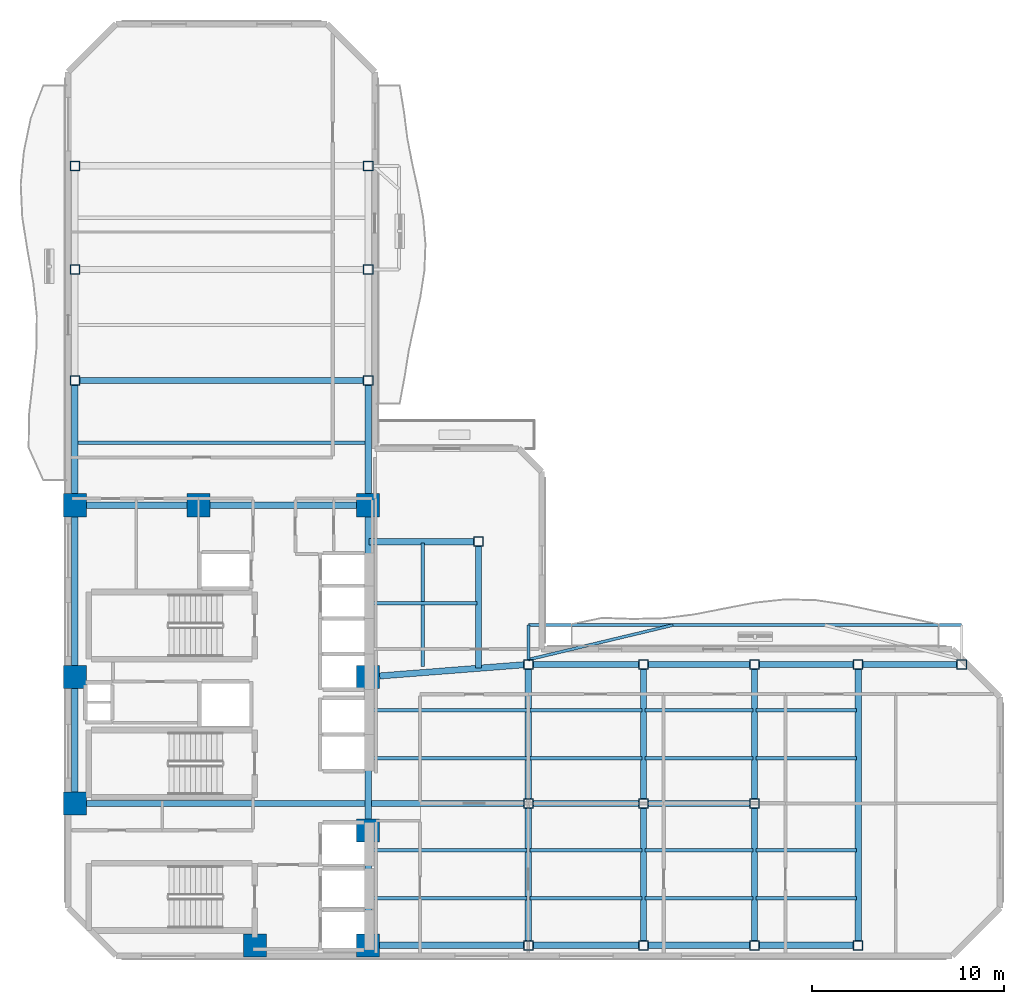
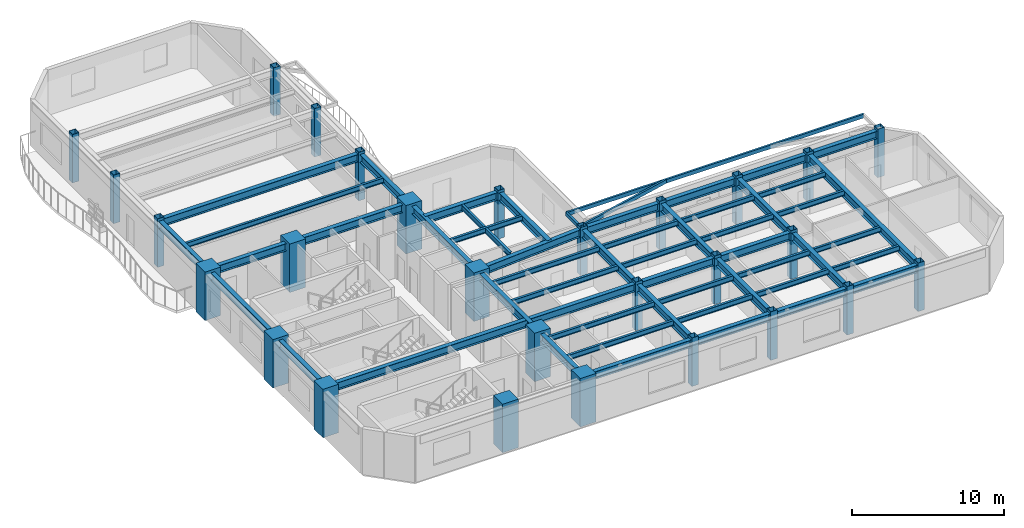
# One storey, part 1 of 12: 53 beams, 28 columns.
"""IFC4 building model written with IfcOpenShell, lengths in metres."""

from ifc_helpers import new_model, si_unit, direction, frame, origin, origin_2d, place, context, subcontext, project, spatial, rectangle, hollow_rectangle, i_section, extrude, material, material_profile, profile_set, type_object, element, save


model = new_model("IFC4")

# Units and contexts
model_context = context("Model", 3, precision=1e-05, world=origin(), true_north=direction((0.0, 1.0)))
body_context = subcontext(model_context, "Body", "Model", "MODEL_VIEW")
ifc_project = project(units=[si_unit("LENGTHUNIT", "METRE"), si_unit("AREAUNIT", "SQUARE_METRE"), si_unit("VOLUMEUNIT", "CUBIC_METRE"), si_unit("PLANEANGLEUNIT", "RADIAN"), si_unit("MASSUNIT", "GRAM", prefix="KILO")], contexts=[model_context])

# Site, building, storey
site_placement = place(None, origin())
site = spatial("IfcSite", under=ifc_project, at=site_placement, CompositionType="ELEMENT")
building_placement = place(site_placement, origin())
building = spatial("IfcBuilding", under=site, at=building_placement, Name="Mawjaban Terraces University", CompositionType="ELEMENT")
storey_placement = place(building_placement, frame((0.0, 0.0, 134.60009765625)))
storey = spatial("IfcBuildingStorey", under=building, at=storey_placement, Name="L32", CompositionType="ELEMENT", Elevation=134.60009765625)

# Columns
ifc_material_1 = material(Name="Concrete C60/75", Category="concrete")
ifc_material_profile_1 = material_profile(ifc_material_1, rectangle(XDim=1.199951171875, YDim=1.199951171875, at=origin_2d()), Name="RC1200X1200")
ifc_profile_set_1 = profile_set([ifc_material_profile_1], Name="Concrete C60/75")
column_type_1 = type_object("IfcColumnType", Name="Col_RC1200X1200", PredefinedType="COLUMN", material=ifc_profile_set_1)
for number, where, z_axis, x_axis, name in (
    (1, (31.75, 0.550048828125, 0.0), (0.0, 0.0, 1.0), (1.0, 0.0, 0.0), "L32 Column CC2"),
    (2, (37.64990234375, 0.550048828125, 0.0), (0.0, 0.0, 1.0), (1.0, 0.0, 0.0), "L32 Column CC3"),
    (3, (22.35009765625, 7.949951171875, 0.0), (0.0, 0.0, 1.0), (1.0, 0.0, 0.0), "L32 Column CC4"),
    (4, (37.64990234375, 6.550048828125, 0.0), (0.0, 0.0, 1.0), (1.0, 0.0, 0.0), "L32 Column CC5"),
    (5, (22.35009765625, 14.550048828125, 0.0), (0.0, 0.0, 1.0), (1.0, 0.0, 0.0), "L32 Column CC6"),
    (6, (37.64990234375, 14.550048828125, 0.0), (0.0, 0.0, 1.0), (1.0, 0.0, 0.0), "L32 Column CC7"),
    (7, (22.35009765625, 23.5, 0.0), (0.0, 0.0, 1.0), (1.0, 0.0, 0.0), "L32 Column CC8"),
    (8, (28.800048828125, 23.5, 0.0), (0.0, 0.0, 1.0), (1.0, 0.0, 0.0), "L32 Column CC9"),
    (9, (37.64990234375, 23.5, 0.0), (0.0, 0.0, 1.0), (1.0, 0.0, 0.0), "L32 Column CC10"),
):
    element("IfcColumn", number, at=place(storey_placement, frame(where, z_axis=z_axis, x_axis=x_axis)), inside=storey, type_object=column_type_1, Name=name, PredefinedType="COLUMN", context=body_context, shape_type="SweptSolid", body=[
        extrude(rectangle(XDim=1.199951171875, YDim=1.199951171875, at=origin_2d()), origin(), (0.0, 0.0, 1.0), 3.89990234375),
    ])
ifc_material_2 = material(Name="Steel EN 10210-1 S355J2H", Category="steel")
ifc_material_profile_2 = material_profile(ifc_material_2, hollow_rectangle(XDim=0.5, YDim=0.5, WallThickness=0.02490234375, at=origin_2d()), Name="SHS500X500X25")
ifc_profile_set_2 = profile_set([ifc_material_profile_2], Name="Steel EN 10210-1 S355J2H")
column_type_2 = type_object("IfcColumnType", Name="Col_SHS500X500X25", PredefinedType="COLUMN", material=ifc_profile_set_2)
for number, where, z_axis, x_axis, name in (
    (10, (46.0, 0.550048828125, 0.0), (0.0, 0.0, 1.0), (1.0, 0.0, 0.0), "L32 Column TE-460-005"),
    (11, (46.0, 7.949951171875, 0.0), (0.0, 0.0, 1.0), (1.0, 0.0, 0.0), "L32 Column TE-460-080"),
    (12, (46.0, 15.199951171875, 0.0), (0.0, 0.0, 1.0), (1.0, 0.0, 0.0), "L32 Column TE-460-152"),
    (13, (52.0, 0.550048828125, 0.0), (0.0, 0.0, 1.0), (1.0, 0.0, 0.0), "L32 Column TE-520-005"),
    (14, (52.0, 7.949951171875, 0.0), (0.0, 0.0, 1.0), (1.0, 0.0, 0.0), "L32 Column TE-520-080"),
    (15, (52.0, 15.199951171875, 0.0), (0.0, 0.0, 1.0), (1.0, 0.0, 0.0), "L32 Column TE-520-152"),
    (16, (57.800048828125, 0.550048828125, 0.0), (0.0, 0.0, 1.0), (1.0, 0.0, 0.0), "L32 Column TE-578-005"),
    (17, (57.800048828125, 7.949951171875, 0.0), (0.0, 0.0, 1.0), (1.0, 0.0, 0.0), "L32 Column TE-578-080"),
    (18, (57.800048828125, 15.199951171875, 0.0), (0.0, 0.0, 1.0), (1.0, 0.0, 0.0), "L32 Column TE-578-152"),
    (19, (63.199951171875, 0.550048828125, 0.0), (0.0, 0.0, 1.0), (1.0, 0.0, 0.0), "L32 Column TE-632-005"),
    (20, (63.199951171875, 15.199951171875, 0.0), (0.0, 0.0, 1.0), (1.0, 0.0, 0.0), "L32 Column TE-632-152"),
    (21, (68.60009765625, 15.199951171875, 0.0), (0.0, 0.0, 1.0), (1.0, 0.0, 0.0), "L32 Column TE-686-152"),
    (22, (22.35009765625, 30.0, 0.0), (0.0, 0.0, 1.0), (1.0, 0.0, 0.0), "L32 Column TN-223-300"),
    (23, (37.64990234375, 30.0, 0.0), (0.0, 0.0, 1.0), (1.0, 0.0, 0.0), "L32 Column TN-376-300"),
    (24, (22.35009765625, 35.800048828125, 0.0), (0.0, 0.0, 1.0), (1.0, 0.0, 0.0), "L32 Column TN-223-358"),
    (25, (37.64990234375, 35.800048828125, 0.0), (0.0, 0.0, 1.0), (1.0, 0.0, 0.0), "L32 Column TN-376-358"),
    (26, (22.35009765625, 41.199951171875, 0.0), (0.0, 0.0, 1.0), (1.0, 0.0, 0.0), "L32 Column TN-223-412"),
    (27, (37.64990234375, 41.199951171875, 0.0), (0.0, 0.0, 1.0), (1.0, 0.0, 0.0), "L32 Column TN-376-412"),
    (28, (43.39990234375, 21.60009765625, 0.0), (0.0, 0.0, 1.0), (1.0, 0.0, 0.0), "L32 Column TS-434-216"),
):
    element("IfcColumn", number, at=place(storey_placement, frame(where, z_axis=z_axis, x_axis=x_axis)), inside=storey, type_object=column_type_2, Name=name, PredefinedType="COLUMN", context=body_context, shape_type="SweptSolid", body=[
        extrude(hollow_rectangle(XDim=0.5, YDim=0.5, WallThickness=0.02490234375, at=origin_2d()), origin(), (0.0, 0.0, 1.0), 3.89990234375),
    ])

# Beams
ifc_material_profile_3 = material_profile(ifc_material_2, hollow_rectangle(XDim=0.14990234375, YDim=0.300048828125, WallThickness=0.012451171875, at=origin_2d()), Name="RHS300X150X12.5")
ifc_profile_set_3 = profile_set([ifc_material_profile_3], Name="Steel EN 10210-1 S355J2H")
beam_type_1 = type_object("IfcBeamType", Name="BalconyCantileverSpandrel_RHS", PredefinedType="SPANDREL", material=ifc_profile_set_3)
beam_1_placement = place(storey_placement, frame((46.0, 15.449951171875, 3.539794921875), z_axis=(0.0, 1.0, 0.0), x_axis=(-1.0, 0.0, 0.0)))
element("IfcBeam", 29, at=beam_1_placement, inside=storey, type_object=beam_type_1, Name="L32 Exterior Outrigger BAL-L33-N.1", PredefinedType="SPANDREL", context=body_context, shape_type="SweptSolid", body=[
    extrude(hollow_rectangle(XDim=0.14990234375, YDim=0.300048828125, WallThickness=0.012451171875, at=origin_2d()), origin(), (0.0, 0.0, 1.0), 1.800048828125),
])
beam_2_placement = place(storey_placement, frame((46.0, 17.25, 3.539794921875), z_axis=(1.0, 0.0, 0.0), x_axis=(0.0, 1.0, 0.0)))
element("IfcBeam", 30, at=beam_2_placement, inside=storey, type_object=beam_type_1, Name="L32 Exterior Edge Spandrel BAL-L33-N", PredefinedType="SPANDREL", context=body_context, shape_type="SweptSolid", body=[
    extrude(hollow_rectangle(XDim=0.14990234375, YDim=0.300048828125, WallThickness=0.012451171875, at=origin_2d()), origin(), (0.0, 0.0, 1.0), 22.60009765625),
])
beam_3_placement = place(storey_placement, frame((46.0, 15.449951171875, 3.539794921875), z_axis=(0.972659683036, 0.232235098544, 0.0), x_axis=(-0.232235098544, 0.972659683036, 0.0)))
element("IfcBeam", 31, at=beam_3_placement, inside=storey, type_object=beam_type_1, Name="L32 Exterior Diagonal Strut BAL-L33-N.1", PredefinedType="SPANDREL", context=body_context, shape_type="SweptSolid", body=[
    extrude(hollow_rectangle(XDim=0.14990234375, YDim=0.300048828125, WallThickness=0.012451171875, at=origin_2d()), origin(), (0.0, 0.0, 1.0), 7.7509765625),
])
ifc_material_3 = material(Name="Steel ASTM A572 Grade 50", Category="steel")
ifc_material_profile_4 = material_profile(ifc_material_3, i_section(OverallWidth=0.324951171875, OverallDepth=0.615966796875, WebThickness=0.013916015625, FlangeThickness=0.021484375, at=origin_2d()), Name="W610X174")
ifc_profile_set_4 = profile_set([ifc_material_profile_4], Name="Steel ASTM A572 Grade 50")
beam_type_2 = type_object("IfcBeamType", Name="Beam_B_W610X174", PredefinedType="BEAM", material=ifc_profile_set_4)
beam_4_placement = place(storey_placement, frame((38.25, 0.550048828125, 3.3818359375), z_axis=(1.0, 0.0, 0.0), x_axis=(0.0, 1.0, 0.0)))
element("IfcBeam", 32, at=beam_4_placement, inside=storey, type_object=beam_type_2, Name="L32 Beam BM-L32-EW-01", PredefinedType="BEAM", context=body_context, shape_type="SweptSolid", body=[
    extrude(i_section(OverallWidth=0.324951171875, OverallDepth=0.615966796875, WebThickness=0.013916015625, FlangeThickness=0.021484375, at=origin_2d()), origin(), (0.0, 0.0, 1.0), 7.5),
])
beam_5_placement = place(storey_placement, frame((46.25, 0.550048828125, 3.3818359375), z_axis=(1.0, 0.0, 0.0), x_axis=(0.0, 1.0, 0.0)))
element("IfcBeam", 33, at=beam_5_placement, inside=storey, type_object=beam_type_2, Name="L32 Beam BM-L32-EW-02", PredefinedType="BEAM", context=body_context, shape_type="SweptSolid", body=[
    extrude(i_section(OverallWidth=0.324951171875, OverallDepth=0.615966796875, WebThickness=0.013916015625, FlangeThickness=0.021484375, at=origin_2d()), origin(), (0.0, 0.0, 1.0), 5.5),
])
beam_6_placement = place(storey_placement, frame((52.25, 0.550048828125, 3.3818359375), z_axis=(1.0, 0.0, 0.0), x_axis=(0.0, 1.0, 0.0)))
element("IfcBeam", 34, at=beam_6_placement, inside=storey, type_object=beam_type_2, Name="L32 Beam BM-L32-EW-03", PredefinedType="BEAM", context=body_context, shape_type="SweptSolid", body=[
    extrude(i_section(OverallWidth=0.324951171875, OverallDepth=0.615966796875, WebThickness=0.013916015625, FlangeThickness=0.021484375, at=origin_2d()), origin(), (0.0, 0.0, 1.0), 5.300048828125),
])
beam_7_placement = place(storey_placement, frame((58.050048828125, 0.550048828125, 3.3818359375), z_axis=(1.0, 0.0, 0.0), x_axis=(0.0, 1.0, 0.0)))
element("IfcBeam", 35, at=beam_7_placement, inside=storey, type_object=beam_type_2, Name="L32 Beam BM-L32-EW-04", PredefinedType="BEAM", context=body_context, shape_type="SweptSolid", body=[
    extrude(i_section(OverallWidth=0.324951171875, OverallDepth=0.615966796875, WebThickness=0.013916015625, FlangeThickness=0.021484375, at=origin_2d()), origin(), (0.0, 0.0, 1.0), 4.89990234375),
])
beam_8_placement = place(storey_placement, frame((22.949951171875, 7.949951171875, 3.3818359375), z_axis=(1.0, 0.0, 0.0), x_axis=(0.0, 1.0, 0.0)))
element("IfcBeam", 36, at=beam_8_placement, inside=storey, type_object=beam_type_2, Name="L32 Beam BM-L32-EW-05", PredefinedType="BEAM", context=body_context, shape_type="SweptSolid", body=[
    extrude(i_section(OverallWidth=0.324951171875, OverallDepth=0.615966796875, WebThickness=0.013916015625, FlangeThickness=0.021484375, at=origin_2d()), origin(), (0.0, 0.0, 1.0), 22.800048828125),
])
beam_9_placement = place(storey_placement, frame((46.25, 7.949951171875, 3.3818359375), z_axis=(1.0, 0.0, 0.0), x_axis=(0.0, 1.0, 0.0)))
element("IfcBeam", 37, at=beam_9_placement, inside=storey, type_object=beam_type_2, Name="L32 Beam BM-L32-EW-06", PredefinedType="BEAM", context=body_context, shape_type="SweptSolid", body=[
    extrude(i_section(OverallWidth=0.324951171875, OverallDepth=0.615966796875, WebThickness=0.013916015625, FlangeThickness=0.021484375, at=origin_2d()), origin(), (0.0, 0.0, 1.0), 5.5),
])
beam_10_placement = place(storey_placement, frame((52.25, 7.949951171875, 3.3818359375), z_axis=(1.0, 0.0, 0.0), x_axis=(0.0, 1.0, 0.0)))
element("IfcBeam", 38, at=beam_10_placement, inside=storey, type_object=beam_type_2, Name="L32 Beam BM-L32-EW-07", PredefinedType="BEAM", context=body_context, shape_type="SweptSolid", body=[
    extrude(i_section(OverallWidth=0.324951171875, OverallDepth=0.615966796875, WebThickness=0.013916015625, FlangeThickness=0.021484375, at=origin_2d()), origin(), (0.0, 0.0, 1.0), 5.300048828125),
])
beam_11_placement = place(storey_placement, frame((46.25, 15.199951171875, 3.3818359375), z_axis=(1.0, 0.0, 0.0), x_axis=(0.0, 1.0, 0.0)))
element("IfcBeam", 39, at=beam_11_placement, inside=storey, type_object=beam_type_2, Name="L32 Beam BM-L32-EW-08", PredefinedType="BEAM", context=body_context, shape_type="SweptSolid", body=[
    extrude(i_section(OverallWidth=0.324951171875, OverallDepth=0.615966796875, WebThickness=0.013916015625, FlangeThickness=0.021484375, at=origin_2d()), origin(), (0.0, 0.0, 1.0), 5.5),
])
beam_12_placement = place(storey_placement, frame((52.25, 15.199951171875, 3.3818359375), z_axis=(1.0, 0.0, 0.0), x_axis=(0.0, 1.0, 0.0)))
element("IfcBeam", 40, at=beam_12_placement, inside=storey, type_object=beam_type_2, Name="L32 Beam BM-L32-EW-09", PredefinedType="BEAM", context=body_context, shape_type="SweptSolid", body=[
    extrude(i_section(OverallWidth=0.324951171875, OverallDepth=0.615966796875, WebThickness=0.013916015625, FlangeThickness=0.021484375, at=origin_2d()), origin(), (0.0, 0.0, 1.0), 5.300048828125),
])
beam_13_placement = place(storey_placement, frame((58.050048828125, 15.199951171875, 3.3818359375), z_axis=(1.0, 0.0, 0.0), x_axis=(0.0, 1.0, 0.0)))
element("IfcBeam", 41, at=beam_13_placement, inside=storey, type_object=beam_type_2, Name="L32 Beam BM-L32-EW-10", PredefinedType="BEAM", context=body_context, shape_type="SweptSolid", body=[
    extrude(i_section(OverallWidth=0.324951171875, OverallDepth=0.615966796875, WebThickness=0.013916015625, FlangeThickness=0.021484375, at=origin_2d()), origin(), (0.0, 0.0, 1.0), 4.89990234375),
])
beam_14_placement = place(storey_placement, frame((63.449951171875, 15.199951171875, 3.3818359375), z_axis=(1.0, 0.0, 0.0), x_axis=(0.0, 1.0, 0.0)))
element("IfcBeam", 42, at=beam_14_placement, inside=storey, type_object=beam_type_2, Name="L32 Beam BM-L32-EW-11", PredefinedType="BEAM", context=body_context, shape_type="SweptSolid", body=[
    extrude(i_section(OverallWidth=0.324951171875, OverallDepth=0.615966796875, WebThickness=0.013916015625, FlangeThickness=0.021484375, at=origin_2d()), origin(), (0.0, 0.0, 1.0), 4.900146484375),
])
beam_15_placement = place(storey_placement, frame((22.949951171875, 23.5, 3.3818359375), z_axis=(1.0, 0.0, 0.0), x_axis=(0.0, 1.0, 0.0)))
element("IfcBeam", 43, at=beam_15_placement, inside=storey, type_object=beam_type_2, Name="L32 Beam BM-L32-EW-12", PredefinedType="BEAM", context=body_context, shape_type="SweptSolid", body=[
    extrude(i_section(OverallWidth=0.324951171875, OverallDepth=0.615966796875, WebThickness=0.013916015625, FlangeThickness=0.021484375, at=origin_2d()), origin(), (0.0, 0.0, 1.0), 5.25),
])
beam_16_placement = place(storey_placement, frame((29.39990234375, 23.5, 3.3818359375), z_axis=(1.0, 0.0, 0.0), x_axis=(0.0, 1.0, 0.0)))
element("IfcBeam", 44, at=beam_16_placement, inside=storey, type_object=beam_type_2, Name="L32 Beam BM-L32-EW-13", PredefinedType="BEAM", context=body_context, shape_type="SweptSolid", body=[
    extrude(i_section(OverallWidth=0.324951171875, OverallDepth=0.615966796875, WebThickness=0.013916015625, FlangeThickness=0.021484375, at=origin_2d()), origin(), (0.0, 0.0, 1.0), 7.650146484375),
])
beam_17_placement = place(storey_placement, frame((22.60009765625, 30.0, 3.3818359375), z_axis=(1.0, 0.0, 0.0), x_axis=(0.0, 1.0, 0.0)))
element("IfcBeam", 45, at=beam_17_placement, inside=storey, type_object=beam_type_2, Name="L32 Beam BM-L32-EW-14", PredefinedType="BEAM", context=body_context, shape_type="SweptSolid", body=[
    extrude(i_section(OverallWidth=0.324951171875, OverallDepth=0.615966796875, WebThickness=0.013916015625, FlangeThickness=0.021484375, at=origin_2d()), origin(), (0.0, 0.0, 1.0), 14.7998046875),
])
beam_18_placement = place(storey_placement, frame((22.35009765625, 8.550048828125, 3.3818359375), z_axis=(0.0, 1.0, 0.0), x_axis=(-1.0, 0.0, 0.0)))
element("IfcBeam", 46, at=beam_18_placement, inside=storey, type_object=beam_type_2, Name="L32 Beam BM-L32-NS-01", PredefinedType="BEAM", context=body_context, shape_type="SweptSolid", body=[
    extrude(i_section(OverallWidth=0.324951171875, OverallDepth=0.615966796875, WebThickness=0.013916015625, FlangeThickness=0.021484375, at=origin_2d()), origin(), (0.0, 0.0, 1.0), 5.39990234375),
])
beam_19_placement = place(storey_placement, frame((22.35009765625, 15.14990234375, 3.3818359375), z_axis=(0.0, 1.0, 0.0), x_axis=(-1.0, 0.0, 0.0)))
element("IfcBeam", 47, at=beam_19_placement, inside=storey, type_object=beam_type_2, Name="L32 Beam BM-L32-NS-02", PredefinedType="BEAM", context=body_context, shape_type="SweptSolid", body=[
    extrude(i_section(OverallWidth=0.324951171875, OverallDepth=0.615966796875, WebThickness=0.013916015625, FlangeThickness=0.021484375, at=origin_2d()), origin(), (0.0, 0.0, 1.0), 7.75),
])
beam_20_placement = place(storey_placement, frame((22.35009765625, 24.10009765625, 3.3818359375), z_axis=(0.0, 1.0, 0.0), x_axis=(-1.0, 0.0, 0.0)))
element("IfcBeam", 48, at=beam_20_placement, inside=storey, type_object=beam_type_2, Name="L32 Beam BM-L32-NS-03", PredefinedType="BEAM", context=body_context, shape_type="SweptSolid", body=[
    extrude(i_section(OverallWidth=0.324951171875, OverallDepth=0.615966796875, WebThickness=0.013916015625, FlangeThickness=0.021484375, at=origin_2d()), origin(), (0.0, 0.0, 1.0), 5.64990234375),
])
beam_21_placement = place(storey_placement, frame((37.64990234375, 1.14990234375, 3.3818359375), z_axis=(0.0, 1.0, 0.0), x_axis=(-1.0, 0.0, 0.0)))
element("IfcBeam", 49, at=beam_21_placement, inside=storey, type_object=beam_type_2, Name="L32 Beam BM-L32-NS-06", PredefinedType="BEAM", context=body_context, shape_type="SweptSolid", body=[
    extrude(i_section(OverallWidth=0.324951171875, OverallDepth=0.615966796875, WebThickness=0.013916015625, FlangeThickness=0.021484375, at=origin_2d()), origin(), (0.0, 0.0, 1.0), 4.800048828125),
])
beam_22_placement = place(storey_placement, frame((37.64990234375, 7.14990234375, 3.3818359375), z_axis=(0.0, 1.0, 0.0), x_axis=(-1.0, 0.0, 0.0)))
element("IfcBeam", 50, at=beam_22_placement, inside=storey, type_object=beam_type_2, Name="L32 Beam BM-L32-NS-07", PredefinedType="BEAM", context=body_context, shape_type="SweptSolid", body=[
    extrude(i_section(OverallWidth=0.324951171875, OverallDepth=0.615966796875, WebThickness=0.013916015625, FlangeThickness=0.021484375, at=origin_2d()), origin(), (0.0, 0.0, 1.0), 6.800048828125),
])
beam_23_placement = place(storey_placement, frame((37.64990234375, 15.14990234375, 3.3818359375), z_axis=(0.0, 1.0, 0.0), x_axis=(-1.0, 0.0, 0.0)))
element("IfcBeam", 51, at=beam_23_placement, inside=storey, type_object=beam_type_2, Name="L32 Beam BM-L32-NS-08", PredefinedType="BEAM", context=body_context, shape_type="SweptSolid", body=[
    extrude(i_section(OverallWidth=0.324951171875, OverallDepth=0.615966796875, WebThickness=0.013916015625, FlangeThickness=0.021484375, at=origin_2d()), origin(), (0.0, 0.0, 1.0), 7.75),
])
beam_24_placement = place(storey_placement, frame((37.64990234375, 24.10009765625, 3.3818359375), z_axis=(0.0, 1.0, 0.0), x_axis=(-1.0, 0.0, 0.0)))
element("IfcBeam", 52, at=beam_24_placement, inside=storey, type_object=beam_type_2, Name="L32 Beam BM-L32-NS-09", PredefinedType="BEAM", context=body_context, shape_type="SweptSolid", body=[
    extrude(i_section(OverallWidth=0.324951171875, OverallDepth=0.615966796875, WebThickness=0.013916015625, FlangeThickness=0.021484375, at=origin_2d()), origin(), (0.0, 0.0, 1.0), 5.64990234375),
])
beam_25_placement = place(storey_placement, frame((46.0, 0.800048828125, 3.3818359375), z_axis=(0.0, 1.0, 0.0), x_axis=(-1.0, 0.0, 0.0)))
element("IfcBeam", 53, at=beam_25_placement, inside=storey, type_object=beam_type_2, Name="L32 Beam BM-L32-NS-12", PredefinedType="BEAM", context=body_context, shape_type="SweptSolid", body=[
    extrude(i_section(OverallWidth=0.324951171875, OverallDepth=0.615966796875, WebThickness=0.013916015625, FlangeThickness=0.021484375, at=origin_2d()), origin(), (0.0, 0.0, 1.0), 6.89990234375),
])
beam_26_placement = place(storey_placement, frame((46.0, 8.199951171875, 3.3818359375), z_axis=(0.0, 1.0, 0.0), x_axis=(-1.0, 0.0, 0.0)))
element("IfcBeam", 54, at=beam_26_placement, inside=storey, type_object=beam_type_2, Name="L32 Beam BM-L32-NS-13", PredefinedType="BEAM", context=body_context, shape_type="SweptSolid", body=[
    extrude(i_section(OverallWidth=0.324951171875, OverallDepth=0.615966796875, WebThickness=0.013916015625, FlangeThickness=0.021484375, at=origin_2d()), origin(), (0.0, 0.0, 1.0), 6.75),
])
beam_27_placement = place(storey_placement, frame((52.0, 0.800048828125, 3.3818359375), z_axis=(0.0, 1.0, 0.0), x_axis=(-1.0, 0.0, 0.0)))
element("IfcBeam", 55, at=beam_27_placement, inside=storey, type_object=beam_type_2, Name="L32 Beam BM-L32-NS-14", PredefinedType="BEAM", context=body_context, shape_type="SweptSolid", body=[
    extrude(i_section(OverallWidth=0.324951171875, OverallDepth=0.615966796875, WebThickness=0.013916015625, FlangeThickness=0.021484375, at=origin_2d()), origin(), (0.0, 0.0, 1.0), 6.89990234375),
])
beam_28_placement = place(storey_placement, frame((52.0, 8.199951171875, 3.3818359375), z_axis=(0.0, 1.0, 0.0), x_axis=(-1.0, 0.0, 0.0)))
element("IfcBeam", 56, at=beam_28_placement, inside=storey, type_object=beam_type_2, Name="L32 Beam BM-L32-NS-15", PredefinedType="BEAM", context=body_context, shape_type="SweptSolid", body=[
    extrude(i_section(OverallWidth=0.324951171875, OverallDepth=0.615966796875, WebThickness=0.013916015625, FlangeThickness=0.021484375, at=origin_2d()), origin(), (0.0, 0.0, 1.0), 6.75),
])
beam_29_placement = place(storey_placement, frame((57.800048828125, 0.800048828125, 3.3818359375), z_axis=(0.0, 1.0, 0.0), x_axis=(-1.0, 0.0, 0.0)))
element("IfcBeam", 57, at=beam_29_placement, inside=storey, type_object=beam_type_2, Name="L32 Beam BM-L32-NS-16", PredefinedType="BEAM", context=body_context, shape_type="SweptSolid", body=[
    extrude(i_section(OverallWidth=0.324951171875, OverallDepth=0.615966796875, WebThickness=0.013916015625, FlangeThickness=0.021484375, at=origin_2d()), origin(), (0.0, 0.0, 1.0), 6.89990234375),
])
beam_30_placement = place(storey_placement, frame((57.800048828125, 8.199951171875, 3.3818359375), z_axis=(0.0, 1.0, 0.0), x_axis=(-1.0, 0.0, 0.0)))
element("IfcBeam", 58, at=beam_30_placement, inside=storey, type_object=beam_type_2, Name="L32 Beam BM-L32-NS-17", PredefinedType="BEAM", context=body_context, shape_type="SweptSolid", body=[
    extrude(i_section(OverallWidth=0.324951171875, OverallDepth=0.615966796875, WebThickness=0.013916015625, FlangeThickness=0.021484375, at=origin_2d()), origin(), (0.0, 0.0, 1.0), 6.75),
])
beam_31_placement = place(storey_placement, frame((63.199951171875, 0.800048828125, 3.3818359375), z_axis=(0.0, 1.0, 0.0), x_axis=(-1.0, 0.0, 0.0)))
element("IfcBeam", 59, at=beam_31_placement, inside=storey, type_object=beam_type_2, Name="L32 Beam BM-L32-NS-18", PredefinedType="BEAM", context=body_context, shape_type="SweptSolid", body=[
    extrude(i_section(OverallWidth=0.324951171875, OverallDepth=0.615966796875, WebThickness=0.013916015625, FlangeThickness=0.021484375, at=origin_2d()), origin(), (0.0, 0.0, 1.0), 14.14990234375),
])
beam_32_placement = place(storey_placement, frame((38.248046875, 14.596923828125, 3.3818359375), z_axis=(0.996984614132, 0.077599479273, 0.0), x_axis=(-0.077599479273, 0.996984614132, 0.0)))
element("IfcBeam", 60, at=beam_32_placement, inside=storey, type_object=beam_type_2, Name="L32 Beam BM-L32-CTIE", PredefinedType="BEAM", context=body_context, shape_type="SweptSolid", body=[
    extrude(i_section(OverallWidth=0.324951171875, OverallDepth=0.615966796875, WebThickness=0.013916015625, FlangeThickness=0.021484375, at=origin_2d()), origin(), (0.0, 0.0, 1.0), 7.525634765625),
])
beam_33_placement = place(storey_placement, frame((37.679931640625, 21.60009765625, 3.3818359375), z_axis=(1.0, 0.0, 0.0), x_axis=(0.0, 1.0, 0.0)))
element("IfcBeam", 61, at=beam_33_placement, inside=storey, type_object=beam_type_2, Name="L32 Spur Tie Girder West", PredefinedType="BEAM", context=body_context, shape_type="SweptSolid", body=[
    extrude(i_section(OverallWidth=0.324951171875, OverallDepth=0.615966796875, WebThickness=0.013916015625, FlangeThickness=0.021484375, at=origin_2d()), origin(), (0.0, 0.0, 1.0), 5.469970703125),
])
beam_34_placement = place(storey_placement, frame((43.39990234375, 15.0, 3.3818359375), z_axis=(0.0, 1.0, 0.0), x_axis=(-1.0, 0.0, 0.0)))
element("IfcBeam", 62, at=beam_34_placement, inside=storey, type_object=beam_type_2, Name="L32 Spur Tie Girder South", PredefinedType="BEAM", context=body_context, shape_type="SweptSolid", body=[
    extrude(i_section(OverallWidth=0.324951171875, OverallDepth=0.615966796875, WebThickness=0.013916015625, FlangeThickness=0.021484375, at=origin_2d()), origin(), (0.0, 0.0, 1.0), 6.35009765625),
])
ifc_material_profile_5 = material_profile(ifc_material_3, i_section(OverallWidth=0.179931640625, OverallDepth=0.4130859375, WebThickness=0.009765625, FlangeThickness=0.01611328125, at=origin_2d()), Name="W410X74")
ifc_profile_set_5 = profile_set([ifc_material_profile_5], Name="Steel ASTM A572 Grade 50")
beam_type_3 = type_object("IfcBeamType", Name="Beam_J_W410X74", PredefinedType="JOIST", material=ifc_profile_set_5)
beam_35_placement = place(storey_placement, frame((37.72998046875, 3.0, 3.48291015625), z_axis=(1.0, 0.0, 0.0), x_axis=(0.0, 1.0, 0.0)))
element("IfcBeam", 63, at=beam_35_placement, inside=storey, type_object=beam_type_3, Name="L32 Composite Joist JST-L32-01", PredefinedType="JOIST", context=body_context, shape_type="SweptSolid", body=[
    extrude(i_section(OverallWidth=0.179931640625, OverallDepth=0.4130859375, WebThickness=0.009765625, FlangeThickness=0.01611328125, at=origin_2d()), origin(), (0.0, 0.0, 1.0), 8.18994140625),
])
beam_36_placement = place(storey_placement, frame((46.080078125, 3.0, 3.48291015625), z_axis=(1.0, 0.0, 0.0), x_axis=(0.0, 1.0, 0.0)))
element("IfcBeam", 64, at=beam_36_placement, inside=storey, type_object=beam_type_3, Name="L32 Composite Joist JST-L32-02", PredefinedType="JOIST", context=body_context, shape_type="SweptSolid", body=[
    extrude(i_section(OverallWidth=0.179931640625, OverallDepth=0.4130859375, WebThickness=0.009765625, FlangeThickness=0.01611328125, at=origin_2d()), origin(), (0.0, 0.0, 1.0), 5.83984375),
])
beam_37_placement = place(storey_placement, frame((52.080078125, 3.0, 3.48291015625), z_axis=(1.0, 0.0, 0.0), x_axis=(0.0, 1.0, 0.0)))
element("IfcBeam", 65, at=beam_37_placement, inside=storey, type_object=beam_type_3, Name="L32 Composite Joist JST-L32-03", PredefinedType="JOIST", context=body_context, shape_type="SweptSolid", body=[
    extrude(i_section(OverallWidth=0.179931640625, OverallDepth=0.4130859375, WebThickness=0.009765625, FlangeThickness=0.01611328125, at=origin_2d()), origin(), (0.0, 0.0, 1.0), 5.639892578125),
])
beam_38_placement = place(storey_placement, frame((57.8798828125, 3.0, 3.48291015625), z_axis=(1.0, 0.0, 0.0), x_axis=(0.0, 1.0, 0.0)))
element("IfcBeam", 66, at=beam_38_placement, inside=storey, type_object=beam_type_3, Name="L32 Composite Joist JST-L32-04", PredefinedType="JOIST", context=body_context, shape_type="SweptSolid", body=[
    extrude(i_section(OverallWidth=0.179931640625, OverallDepth=0.4130859375, WebThickness=0.009765625, FlangeThickness=0.01611328125, at=origin_2d()), origin(), (0.0, 0.0, 1.0), 5.240234375),
])
beam_39_placement = place(storey_placement, frame((37.72998046875, 5.5, 3.48291015625), z_axis=(1.0, 0.0, 0.0), x_axis=(0.0, 1.0, 0.0)))
element("IfcBeam", 67, at=beam_39_placement, inside=storey, type_object=beam_type_3, Name="L32 Composite Joist JST-L32-05", PredefinedType="JOIST", context=body_context, shape_type="SweptSolid", body=[
    extrude(i_section(OverallWidth=0.179931640625, OverallDepth=0.4130859375, WebThickness=0.009765625, FlangeThickness=0.01611328125, at=origin_2d()), origin(), (0.0, 0.0, 1.0), 8.18994140625),
])
beam_40_placement = place(storey_placement, frame((46.080078125, 5.5, 3.48291015625), z_axis=(1.0, 0.0, 0.0), x_axis=(0.0, 1.0, 0.0)))
element("IfcBeam", 68, at=beam_40_placement, inside=storey, type_object=beam_type_3, Name="L32 Composite Joist JST-L32-06", PredefinedType="JOIST", context=body_context, shape_type="SweptSolid", body=[
    extrude(i_section(OverallWidth=0.179931640625, OverallDepth=0.4130859375, WebThickness=0.009765625, FlangeThickness=0.01611328125, at=origin_2d()), origin(), (0.0, 0.0, 1.0), 5.83984375),
])
beam_41_placement = place(storey_placement, frame((52.080078125, 5.5, 3.48291015625), z_axis=(1.0, 0.0, 0.0), x_axis=(0.0, 1.0, 0.0)))
element("IfcBeam", 69, at=beam_41_placement, inside=storey, type_object=beam_type_3, Name="L32 Composite Joist JST-L32-07", PredefinedType="JOIST", context=body_context, shape_type="SweptSolid", body=[
    extrude(i_section(OverallWidth=0.179931640625, OverallDepth=0.4130859375, WebThickness=0.009765625, FlangeThickness=0.01611328125, at=origin_2d()), origin(), (0.0, 0.0, 1.0), 5.639892578125),
])
beam_42_placement = place(storey_placement, frame((57.8798828125, 5.5, 3.48291015625), z_axis=(1.0, 0.0, 0.0), x_axis=(0.0, 1.0, 0.0)))
element("IfcBeam", 70, at=beam_42_placement, inside=storey, type_object=beam_type_3, Name="L32 Composite Joist JST-L32-08", PredefinedType="JOIST", context=body_context, shape_type="SweptSolid", body=[
    extrude(i_section(OverallWidth=0.179931640625, OverallDepth=0.4130859375, WebThickness=0.009765625, FlangeThickness=0.01611328125, at=origin_2d()), origin(), (0.0, 0.0, 1.0), 5.240234375),
])
beam_43_placement = place(storey_placement, frame((37.72998046875, 10.300048828125, 3.48291015625), z_axis=(1.0, 0.0, 0.0), x_axis=(0.0, 1.0, 0.0)))
element("IfcBeam", 71, at=beam_43_placement, inside=storey, type_object=beam_type_3, Name="L32 Composite Joist JST-L32-09", PredefinedType="JOIST", context=body_context, shape_type="SweptSolid", body=[
    extrude(i_section(OverallWidth=0.179931640625, OverallDepth=0.4130859375, WebThickness=0.009765625, FlangeThickness=0.01611328125, at=origin_2d()), origin(), (0.0, 0.0, 1.0), 8.18994140625),
])
beam_44_placement = place(storey_placement, frame((46.080078125, 10.300048828125, 3.48291015625), z_axis=(1.0, 0.0, 0.0), x_axis=(0.0, 1.0, 0.0)))
element("IfcBeam", 72, at=beam_44_placement, inside=storey, type_object=beam_type_3, Name="L32 Composite Joist JST-L32-10", PredefinedType="JOIST", context=body_context, shape_type="SweptSolid", body=[
    extrude(i_section(OverallWidth=0.179931640625, OverallDepth=0.4130859375, WebThickness=0.009765625, FlangeThickness=0.01611328125, at=origin_2d()), origin(), (0.0, 0.0, 1.0), 5.83984375),
])
beam_45_placement = place(storey_placement, frame((52.080078125, 10.300048828125, 3.48291015625), z_axis=(1.0, 0.0, 0.0), x_axis=(0.0, 1.0, 0.0)))
element("IfcBeam", 73, at=beam_45_placement, inside=storey, type_object=beam_type_3, Name="L32 Composite Joist JST-L32-11", PredefinedType="JOIST", context=body_context, shape_type="SweptSolid", body=[
    extrude(i_section(OverallWidth=0.179931640625, OverallDepth=0.4130859375, WebThickness=0.009765625, FlangeThickness=0.01611328125, at=origin_2d()), origin(), (0.0, 0.0, 1.0), 5.639892578125),
])
beam_46_placement = place(storey_placement, frame((57.8798828125, 10.300048828125, 3.48291015625), z_axis=(1.0, 0.0, 0.0), x_axis=(0.0, 1.0, 0.0)))
element("IfcBeam", 74, at=beam_46_placement, inside=storey, type_object=beam_type_3, Name="L32 Composite Joist JST-L32-12", PredefinedType="JOIST", context=body_context, shape_type="SweptSolid", body=[
    extrude(i_section(OverallWidth=0.179931640625, OverallDepth=0.4130859375, WebThickness=0.009765625, FlangeThickness=0.01611328125, at=origin_2d()), origin(), (0.0, 0.0, 1.0), 5.240234375),
])
beam_47_placement = place(storey_placement, frame((37.72998046875, 12.800048828125, 3.48291015625), z_axis=(1.0, 0.0, 0.0), x_axis=(0.0, 1.0, 0.0)))
element("IfcBeam", 75, at=beam_47_placement, inside=storey, type_object=beam_type_3, Name="L32 Composite Joist JST-L32-13", PredefinedType="JOIST", context=body_context, shape_type="SweptSolid", body=[
    extrude(i_section(OverallWidth=0.179931640625, OverallDepth=0.4130859375, WebThickness=0.009765625, FlangeThickness=0.01611328125, at=origin_2d()), origin(), (0.0, 0.0, 1.0), 8.18994140625),
])
beam_48_placement = place(storey_placement, frame((46.080078125, 12.800048828125, 3.48291015625), z_axis=(1.0, 0.0, 0.0), x_axis=(0.0, 1.0, 0.0)))
element("IfcBeam", 76, at=beam_48_placement, inside=storey, type_object=beam_type_3, Name="L32 Composite Joist JST-L32-14", PredefinedType="JOIST", context=body_context, shape_type="SweptSolid", body=[
    extrude(i_section(OverallWidth=0.179931640625, OverallDepth=0.4130859375, WebThickness=0.009765625, FlangeThickness=0.01611328125, at=origin_2d()), origin(), (0.0, 0.0, 1.0), 5.83984375),
])
beam_49_placement = place(storey_placement, frame((52.080078125, 12.800048828125, 3.48291015625), z_axis=(1.0, 0.0, 0.0), x_axis=(0.0, 1.0, 0.0)))
element("IfcBeam", 77, at=beam_49_placement, inside=storey, type_object=beam_type_3, Name="L32 Composite Joist JST-L32-15", PredefinedType="JOIST", context=body_context, shape_type="SweptSolid", body=[
    extrude(i_section(OverallWidth=0.179931640625, OverallDepth=0.4130859375, WebThickness=0.009765625, FlangeThickness=0.01611328125, at=origin_2d()), origin(), (0.0, 0.0, 1.0), 5.639892578125),
])
beam_50_placement = place(storey_placement, frame((57.8798828125, 12.800048828125, 3.48291015625), z_axis=(1.0, 0.0, 0.0), x_axis=(0.0, 1.0, 0.0)))
element("IfcBeam", 78, at=beam_50_placement, inside=storey, type_object=beam_type_3, Name="L32 Composite Joist JST-L32-16", PredefinedType="JOIST", context=body_context, shape_type="SweptSolid", body=[
    extrude(i_section(OverallWidth=0.179931640625, OverallDepth=0.4130859375, WebThickness=0.009765625, FlangeThickness=0.01611328125, at=origin_2d()), origin(), (0.0, 0.0, 1.0), 5.240234375),
])
beam_51_placement = place(storey_placement, frame((37.72998046875, 18.39990234375, 3.48291015625), z_axis=(1.0, 0.0, 0.0), x_axis=(0.0, 1.0, 0.0)))
element("IfcBeam", 79, at=beam_51_placement, inside=storey, type_object=beam_type_3, Name="L32 Composite Joist JST-L32-17", PredefinedType="JOIST", context=body_context, shape_type="SweptSolid", body=[
    extrude(i_section(OverallWidth=0.179931640625, OverallDepth=0.4130859375, WebThickness=0.009765625, FlangeThickness=0.01611328125, at=origin_2d()), origin(), (0.0, 0.0, 1.0), 5.590087890625),
])
beam_52_placement = place(storey_placement, frame((22.429931640625, 26.75, 3.48291015625), z_axis=(1.0, 0.0, 0.0), x_axis=(0.0, 1.0, 0.0)))
element("IfcBeam", 80, at=beam_52_placement, inside=storey, type_object=beam_type_3, Name="L32 Composite Joist JST-L32-18", PredefinedType="JOIST", context=body_context, shape_type="SweptSolid", body=[
    extrude(i_section(OverallWidth=0.179931640625, OverallDepth=0.4130859375, WebThickness=0.009765625, FlangeThickness=0.01611328125, at=origin_2d()), origin(), (0.0, 0.0, 1.0), 15.14013671875),
])
beam_53_placement = place(storey_placement, frame((40.5, 15.080078125, 3.48291015625), z_axis=(0.0, 1.0, 0.0), x_axis=(-1.0, 0.0, 0.0)))
element("IfcBeam", 81, at=beam_53_placement, inside=storey, type_object=beam_type_3, Name="L32 Composite Joist JST-L32-NS-21", PredefinedType="JOIST", context=body_context, shape_type="SweptSolid", body=[
    extrude(i_section(OverallWidth=0.179931640625, OverallDepth=0.4130859375, WebThickness=0.009765625, FlangeThickness=0.01611328125, at=origin_2d()), origin(), (0.0, 0.0, 1.0), 6.43994140625),
])

save(model, "model.ifc")
